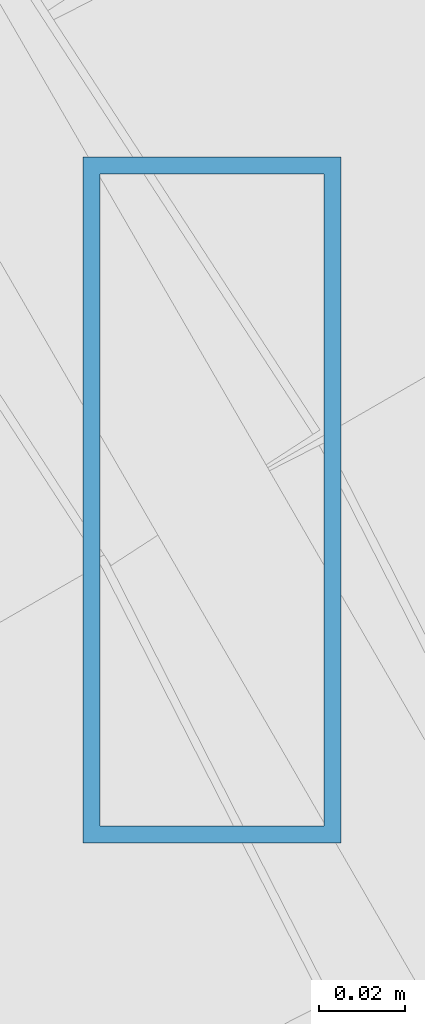
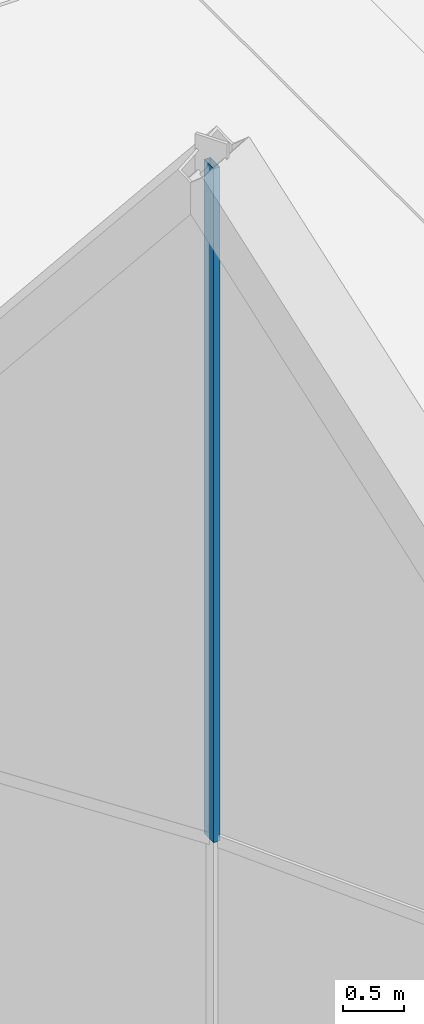
# One storey, part 34 of 71: 1 member, 1 element without a shape of its own.
"""IFC4 building model written with IfcOpenShell, lengths in metres."""

import ifcopenshell
import ifcopenshell.guid

model = None  # the IFC model being written
_history = None  # IfcOwnerHistory: only IFC2X3 demands one
_inside = {}  # id of a spatial element -> (the spatial element, [elements in it])
_under = {}  # id of a project, library or spatial element -> (it, [spatial elements below it])
_declared = {}  # id of a project -> (the project, [libraries it declares])
_typed = {}  # id of a type object -> (the type object, [elements of that type])
_made_of = {}  # id of a material, layer set ... -> (it, [elements and type objects made of it])


def new_model(schema):
    """Start an empty IFC model of exactly this schema.

    Asked for "IFC4X3", IfcOpenShell would pick the latest addendum, in which some entities
    have other attributes; the version numbers below select the first issue.
    IFC2X3 requires an IfcOwnerHistory on every rooted entity: one is made here for all.
    """
    global model, _history
    if schema == "IFC4X3":
        model = ifcopenshell.file(schema_version=(4, 3, 0, 0))
    else:
        model = ifcopenshell.file(schema=schema)
    _inside.clear()
    _under.clear()
    _declared.clear()
    _typed.clear()
    _made_of.clear()
    _history = None
    if model.schema == "IFC2X3":
        org = make("IfcOrganization", Name="unknown")
        user = make(
            "IfcPersonAndOrganization",
            ThePerson=make("IfcPerson", FamilyName="unknown"),
            TheOrganization=org,
        )
        app = make(
            "IfcApplication",
            ApplicationDeveloper=org,
            Version="unknown",
            ApplicationFullName="unknown",
            ApplicationIdentifier="unknown",
        )
        _history = make(
            "IfcOwnerHistory",
            OwningUser=user,
            OwningApplication=app,
            ChangeAction="ADDED",
            CreationDate=0,
        )
    return model


def make(cls, **values):
    """One entity of the class cls with the attributes given. An attribute that is None is left unset."""
    return model.create_entity(
        cls, **{name: value for name, value in values.items() if value is not None}
    )


def rooted(cls, **values):
    """An entity with a GlobalId (a new one), such as an element, a storey or a relation."""
    return make(cls, GlobalId=ifcopenshell.guid.new(), OwnerHistory=_history, **values)


def si_unit(unit_type, name, prefix=None):
    """IfcSIUnit, for example si_unit("LENGTHUNIT", "METRE", prefix="MILLI")."""
    return make("IfcSIUnit", UnitType=unit_type, Prefix=prefix, Name=name)


def assignment(units):
    """IfcUnitAssignment: the units of a project."""
    return None if units is None else make("IfcUnitAssignment", Units=units)


def point(xyz):
    """IfcCartesianPoint."""
    return None if xyz is None else make("IfcCartesianPoint", Coordinates=xyz)


def direction(xyz):
    """IfcDirection."""
    return None if xyz is None else make("IfcDirection", DirectionRatios=xyz)


def frame(location, z_axis=None, x_axis=None):
    """IfcAxis2Placement3D, a coordinate frame: its origin and axes. An axis left out is left unset."""
    return make(
        "IfcAxis2Placement3D",
        Location=point(location),
        Axis=direction(z_axis),
        RefDirection=direction(x_axis),
    )


def frame_2d(location, x_axis=None):
    """IfcAxis2Placement2D, a coordinate frame in the plane: its origin and x axis."""
    return make(
        "IfcAxis2Placement2D", Location=point(location), RefDirection=direction(x_axis)
    )


def origin():
    """The frame at (0, 0, 0) with its axes left unset."""
    return frame((0.0, 0.0, 0.0))


def origin_2d():
    """The frame at (0, 0) in the plane with its x axis left unset."""
    return frame_2d((0.0, 0.0))


def place(relative_to, where):
    """IfcLocalPlacement: puts the frame where relative to a parent placement (None: the world)."""
    return make(
        "IfcLocalPlacement", PlacementRelTo=relative_to, RelativePlacement=where
    )


def context(
    kind, dimensions, precision=None, world=None, true_north=None, identifier=None
):
    """IfcGeometricRepresentationContext, for example the 3D "Model" context."""
    return make(
        "IfcGeometricRepresentationContext",
        ContextIdentifier=identifier,
        ContextType=kind,
        CoordinateSpaceDimension=dimensions,
        Precision=precision,
        WorldCoordinateSystem=world,
        TrueNorth=true_north,
    )


def subcontext(parent, identifier, kind, view, scale=None):
    """IfcGeometricRepresentationSubContext, for example "Body" below "Model"."""
    return make(
        "IfcGeometricRepresentationSubContext",
        ContextIdentifier=identifier,
        ContextType=kind,
        ParentContext=parent,
        TargetScale=scale,
        TargetView=view,
    )


def project(units=None, contexts=None):
    """IfcProject with its units and contexts."""
    return rooted(
        "IfcProject",
        Name="project",
        RepresentationContexts=contexts,
        UnitsInContext=assignment(units),
    )


def spatial(cls, under=None, at=None, **own):
    """A site, building, storey or space (cls), placed at a placement, below another one or the project."""
    s = rooted(cls, ObjectPlacement=at, **own)
    if under is not None:
        _under.setdefault(under.id(), (under, []))[1].append(s)
    return s


def profile(cls, at=None, kind="AREA", **sizes):
    """A parametric profile (cls). Its sizes go by their IFC names, for example OverallWidth=200.0."""
    return make(cls, ProfileType=kind, Position=at, **sizes)


def hollow_rectangle(**sizes):
    """IfcRectangleHollowProfileDef."""
    return profile("IfcRectangleHollowProfileDef", **sizes)


def extrude(swept, where, along, depth):
    """IfcExtrudedAreaSolid: the profile swept, set in the frame where, extruded along a direction by depth."""
    return make(
        "IfcExtrudedAreaSolid",
        SweptArea=swept,
        Position=where,
        ExtrudedDirection=direction(along),
        Depth=depth,
    )


def shape(context_of_items, identifier, shape_type, items):
    """IfcShapeRepresentation: the items that make up one representation, for example the "Body"."""
    return make(
        "IfcShapeRepresentation",
        ContextOfItems=context_of_items,
        RepresentationIdentifier=identifier,
        RepresentationType=shape_type,
        Items=items,
    )


def material(Name=None, Category=None):
    """IfcMaterial."""
    return make("IfcMaterial", Name=Name, Category=Category)


def material_profile(
    of_material, cross_section, Name=None, Category=None, Priority=None
):
    """IfcMaterialProfile: a cross section and its material."""
    return make(
        "IfcMaterialProfile",
        Name=Name,
        Material=of_material,
        Profile=cross_section,
        Priority=Priority,
        Category=Category,
    )


def profile_set(profiles, Name=None, composite=None):
    """IfcMaterialProfileSet."""
    return make(
        "IfcMaterialProfileSet",
        Name=Name,
        MaterialProfiles=profiles,
        CompositeProfile=composite,
    )


def made_of(thing, what):
    """Note that an element or type object is made of a material, layer set ...; save() writes the relation."""
    if what is not None:
        _made_of.setdefault(what.id(), (what, []))[1].append(thing)
    return thing


def type_object(cls, material=None, **own):
    """A type object (cls), such as IfcWallType, which elements share."""
    return made_of(rooted(cls, **own), material)


def element(
    cls,
    number,
    at=None,
    inside=None,
    cuts=None,
    type_object=None,
    material=None,
    context=None,
    identifier="Body",
    shape_type=None,
    held_by="IfcProductDefinitionShape",
    body=None,
    shapes=None,
    **own,
):
    """One element of the class cls, such as IfcWall. Its Tag is "e" and its number.

    at: its placement. inside: the storey or other place that contains it. cuts: it is an
    opening in that element (IfcRelVoidsElement). A single representation is given by context,
    identifier, shape_type and body (its items); several are given by shapes. held_by: the class
    of the entity that holds the representations. save() writes the other relations.
    """
    e = rooted(cls, Tag="e%d" % number, ObjectPlacement=at, **own)
    if body is not None:
        shapes = [shape(context, identifier, shape_type, body)]
    if shapes is not None:
        e.Representation = make(held_by, Representations=shapes)
    if inside is not None:
        _inside.setdefault(inside.id(), (inside, []))[1].append(e)
    if cuts is not None:
        rooted(
            "IfcRelVoidsElement", RelatingBuildingElement=cuts, RelatedOpeningElement=e
        )
    if type_object is not None:
        _typed.setdefault(type_object.id(), (type_object, []))[1].append(e)
    return made_of(e, material)


def aggregate(whole, parts):
    """IfcRelAggregates: a whole, such as a stair, and the parts it consists of."""
    return rooted("IfcRelAggregates", RelatingObject=whole, RelatedObjects=parts)


def save(model, path):
    """Write the relations noted so far, then the file.

    IfcRelAggregates (storeys below a building ...), IfcRelContainedInSpatialStructure (elements
    in a storey), IfcRelDefinesByType, IfcRelAssociatesMaterial and IfcRelDeclares: one each for
    every whole, place, type object, material and project.
    """
    for whole, parts in _under.values():
        aggregate(whole, parts)
    for where, things in _inside.values():
        rooted(
            "IfcRelContainedInSpatialStructure",
            RelatedElements=things,
            RelatingStructure=where,
        )
    for kind, things in _typed.values():
        rooted("IfcRelDefinesByType", RelatedObjects=things, RelatingType=kind)
    for what, things in _made_of.values():
        rooted("IfcRelAssociatesMaterial", RelatedObjects=things, RelatingMaterial=what)
    for by, libraries in _declared.values():
        rooted("IfcRelDeclares", RelatingContext=by, RelatedDefinitions=libraries)
    model.write(path)


model = new_model("IFC4")

# Units and contexts
model_context = context("Model", 3, precision=1e-05, world=origin(), true_north=direction((0.0, 1.0)))
body_context = subcontext(model_context, "Body", "Model", "MODEL_VIEW")
ifc_project = project(units=[si_unit("LENGTHUNIT", "METRE"), si_unit("AREAUNIT", "SQUARE_METRE"), si_unit("VOLUMEUNIT", "CUBIC_METRE"), si_unit("PLANEANGLEUNIT", "RADIAN"), si_unit("MASSUNIT", "GRAM", prefix="KILO")], contexts=[model_context])

# Site, building, storey
site_placement = place(None, origin())
site = spatial("IfcSite", under=ifc_project, at=site_placement, CompositionType="ELEMENT")
building_placement = place(site_placement, origin())
building = spatial("IfcBuilding", under=site, at=building_placement, Name="Ostrander Bayou Hotel Tower", CompositionType="ELEMENT")
storey_placement = place(building_placement, frame((0.0, 0.0, 10.0)))
storey = spatial("IfcBuildingStorey", under=building, at=storey_placement, Name="L02", CompositionType="ELEMENT", Elevation=10.0)

# Curtain wall, member
ifc_material_1 = material(Name="Aluminium and clear glass", Category="aluminium")
curtain_wall_type = type_object("IfcCurtainWallType", Name="CW-LAT lattice glazing", PredefinedType="NOTDEFINED", material=ifc_material_1)
curtain_wall_placement = place(storey_placement, origin())
curtain_wall = element("IfcCurtainWall", 1, at=curtain_wall_placement, inside=storey, type_object=curtain_wall_type, Name="CW-LAT L02 NE 1", PredefinedType="NOTDEFINED")
ifc_material_2 = material(Name="Aluminium", Category="aluminium")
ifc_material_profile = material_profile(ifc_material_2, hollow_rectangle(XDim=0.06005859375, YDim=0.159912109375, WallThickness=0.00390625, at=origin_2d()))
ifc_profile_set = profile_set([ifc_material_profile], Name="Aluminium")
member_type = type_object("IfcMemberType", Name="CW-LA mullion 60 x 160 mm", PredefinedType="MULLION", material=ifc_profile_set)
member_placement = place(storey_placement, frame((19.11328125, 11.034912109375, 6.14990234375), z_axis=(0.0, 0.0, 1.0), x_axis=(1.0, 0.0, 0.0)))
member = element("IfcMember", 2, at=member_placement, type_object=member_type, Name="CW-LAT mullion 5", PredefinedType="MULLION", context=body_context, shape_type="SweptSolid", body=[
    extrude(hollow_rectangle(XDim=0.06005859375, YDim=0.159912109375, WallThickness=0.00390625, at=origin_2d()), origin(), (0.0, 0.0, 1.0), 6.75),
])
aggregate(curtain_wall, [member])

save(model, "model.ifc")
